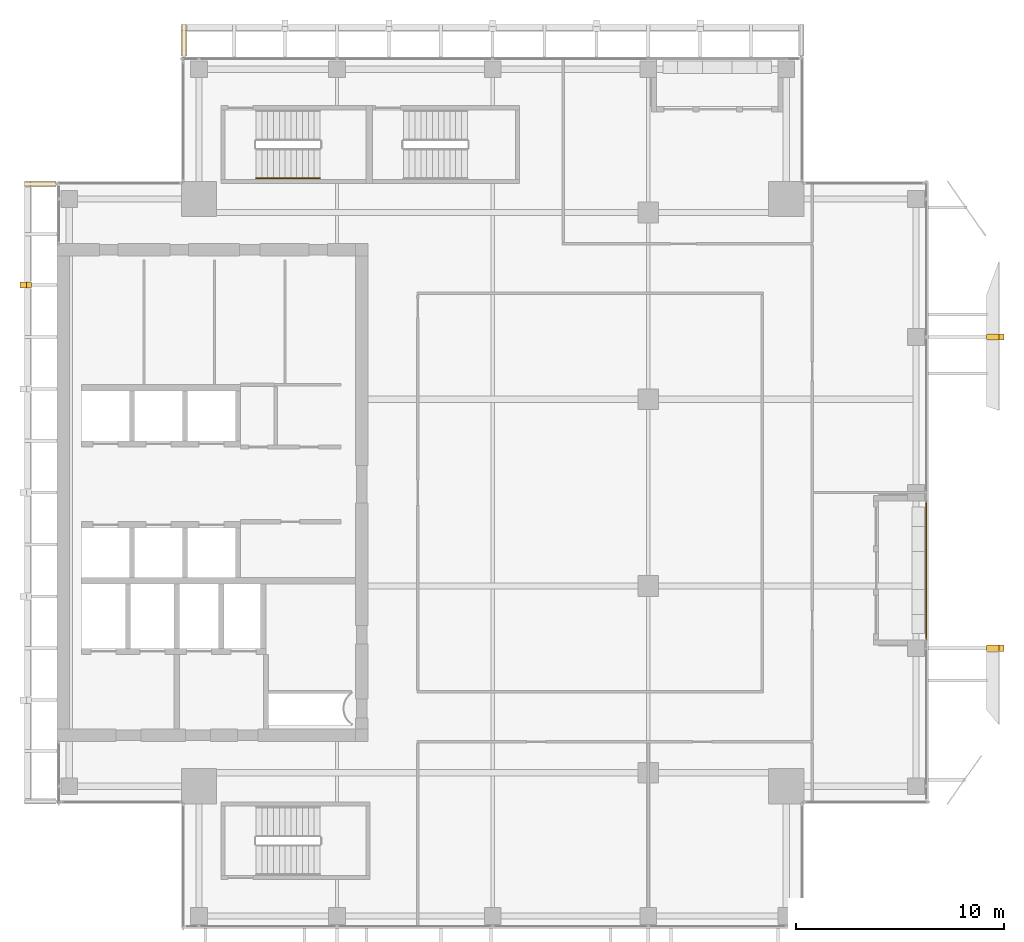
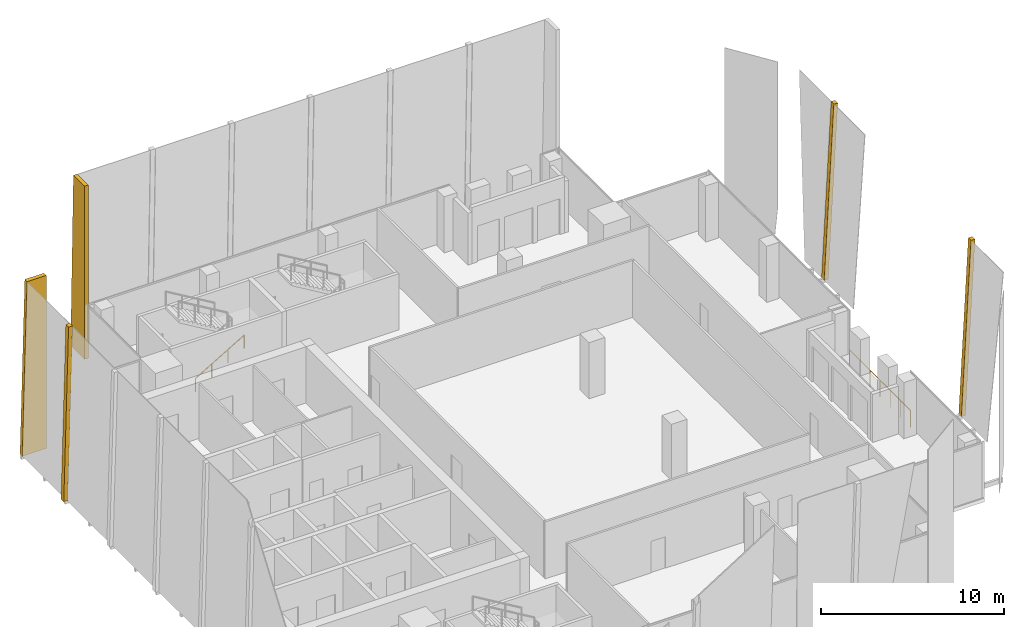
# One storey, part 30 of 32: 5 coverings, 2 railings.
"""IFC4 building model written with IfcOpenShell, lengths in metres."""

from ifc_helpers import new_model, si_unit, direction, frame, origin, origin_2d, place, context, subcontext, project, spatial, polyline, circle, outline, extrude, source, transform, mapped, material, layer, layer_set, type_object, element, save


model = new_model("IFC4")

# Units and contexts
model_context = context("Model", 3, precision=1e-05, world=origin(), true_north=direction((0.0, 1.0)))
body_context = subcontext(model_context, "Body", "Model", "MODEL_VIEW")
ifc_project = project(units=[si_unit("LENGTHUNIT", "METRE"), si_unit("AREAUNIT", "SQUARE_METRE"), si_unit("VOLUMEUNIT", "CUBIC_METRE"), si_unit("PLANEANGLEUNIT", "RADIAN"), si_unit("MASSUNIT", "GRAM", prefix="KILO")], contexts=[model_context])

# Site, building, storey
site_placement = place(None, origin())
site = spatial("IfcSite", under=ifc_project, at=site_placement, CompositionType="ELEMENT")
building_placement = place(site_placement, origin())
building = spatial("IfcBuilding", under=site, at=building_placement, Name="Khomas Fold Tower", CompositionType="ELEMENT")
storey_placement = place(building_placement, frame((0.0, 0.0, 318.199951171875)))
storey = spatial("IfcBuildingStorey", under=building, at=storey_placement, Name="L72", CompositionType="ELEMENT", Elevation=318.199951171875)

# Coverings
ifc_material_1 = material(Name="Natural stone cladding", Category="masonry")
ifc_layer = layer(ifc_material_1, 0.25)
ifc_layer_set = layer_set([ifc_layer], Name="Natural stone cladding")
covering_type = type_object("IfcCoveringType", Name="SK-Karibib marble stone mullion", PredefinedType="CLADDING", material=ifc_layer_set)
for number, where, z_axis, x_axis, name in (
    (1, (50.78662109375, 19.35009765625, 0.0), (-0.99862882819, 0.0, 0.052349436554), (0.052349436554, 0.0, 0.99862882819), "OUTER SKIN mullion L72 EM100-3"),
    (2, (51.39208984375, 34.64990234375, 11.550048828125), (-0.99862882819, 0.0, 0.052349436554), (-0.052349436554, 0.0, -0.99862882819), "OUTER SKIN mullion L72 EM103-5"),
):
    element("IfcCovering", number, at=place(storey_placement, frame(where, z_axis=z_axis, x_axis=x_axis)), inside=storey, type_object=covering_type, Name=name, PredefinedType="CLADDING", context=body_context, shape_type="SweptSolid", body=[
        extrude(outline(polyline([(0.0, 0.0), (11.565907674683308, 0.0), (11.565907674683308, 0.2998046875), (0.0, 0.2998046875), (0.0, 0.0)])), origin(), (0.0, 0.0, -1.0), 0.25),
    ])
covering_1_placement = place(storey_placement, frame((12.0, 48.050048828125, 11.550048828125), z_axis=(-1.0, 0.0, 0.0), x_axis=(0.0, 1.0, 0.0)))
element("IfcCovering", 3, at=covering_1_placement, inside=storey, type_object=covering_type, Name="OUTER SKIN return L72 N1", PredefinedType="CLADDING", context=body_context, shape_type="SweptSolid", body=[
    extrude(outline(polyline([(0.0, 0.0), (1.213134765625, 0.0), (1.515380859375, 11.550048828125), (0.0, 11.550048828125), (0.0, 0.0)])), origin(), (0.0, 0.0, -1.0), 0.25),
])
covering_2_placement = place(storey_placement, frame((4.224609375, 36.85009765625, 0.006591796875), z_axis=(-0.999657230839, 0.0, 0.026180543005), x_axis=(0.0, 1.0, 0.0)))
element("IfcCovering", 4, at=covering_2_placement, inside=storey, type_object=covering_type, Name="OUTER SKIN mullion L72 W10", PredefinedType="CLADDING", context=body_context, shape_type="SweptSolid", body=[
    extrude(outline(polyline([(0.0, 0.0), (0.2998046875, 0.0), (0.2998046875, -11.554009186164079), (0.0, -11.554009186164079), (0.0, 0.0)])), origin(), (0.0, 0.0, -1.0), 0.25),
])
covering_3_placement = place(storey_placement, frame((5.949951171875, 42.0, 0.0), z_axis=(0.0, 1.0, 0.0), x_axis=(-1.0, 0.0, 0.0)))
element("IfcCovering", 5, at=covering_3_placement, inside=storey, type_object=covering_type, Name="OUTER SKIN return L72 W2", PredefinedType="CLADDING", context=body_context, shape_type="SweptSolid", body=[
    extrude(outline(polyline([(0.0, 0.0), (1.515380859375, 0.0), (1.213134765625, 11.550048828125), (0.0, 11.550048828125), (0.0, 0.0)])), origin(), (0.0, 0.0, -1.0), 0.25),
])

# Railings
ifc_material_2 = material(Name="Powder-coated steel", Category="steel")
railing_type_1 = type_object("IfcRailingType", Name="Balcony guard", PredefinedType="GUARDRAIL", material=ifc_material_2)
shared_shape_1 = source(origin(), body_context, "Body", "SweptSolid", [
    extrude(circle(Radius=0.02490234375, at=origin_2d()), frame((0.0, 0.0, 1.125), z_axis=(0.0, 1.0, 0.0), x_axis=(-1.0, 0.0, 0.0)), (0.0, 0.0, 1.0), 6.64013671875),
    extrude(circle(Radius=0.02001953125, at=origin_2d()), origin(), (0.0, 0.0, 1.0), 1.099853515625),
    extrude(circle(Radius=0.02001953125, at=origin_2d()), frame((0.0, 1.106689453125, 0.0)), (0.0, 0.0, 1.0), 1.099853515625),
    extrude(circle(Radius=0.02001953125, at=origin_2d()), frame((0.0, 2.21337890625, 0.0)), (0.0, 0.0, 1.0), 1.099853515625),
    extrude(circle(Radius=0.02001953125, at=origin_2d()), frame((0.0, 3.320068359375, 0.0)), (0.0, 0.0, 1.0), 1.099853515625),
    extrude(circle(Radius=0.02001953125, at=origin_2d()), frame((0.0, 4.4267578125, 0.0)), (0.0, 0.0, 1.0), 1.099853515625),
    extrude(circle(Radius=0.02001953125, at=origin_2d()), frame((0.0, 5.533447265625, 0.0)), (0.0, 0.0, 1.0), 1.099853515625),
    extrude(circle(Radius=0.02001953125, at=origin_2d()), frame((0.0, 6.64013671875, 0.0)), (0.0, 0.0, 1.0), 1.099853515625),
])
railing_1_placement = place(storey_placement, frame((47.89990234375, 19.929931640625, -0.044921875)))
element("IfcRailing", 6, at=railing_1_placement, inside=storey, type_object=railing_type_1, Name="Balcony guard BAL-L72-E2", PredefinedType="GUARDRAIL", context=body_context, shape_type="MappedRepresentation", body=[
    mapped(shared_shape_1, transform((0.0, 0.0, 0.0))),
])
ifc_material_3 = material(Name="Steel handrail", Category="steel")
railing_type_2 = type_object("IfcRailingType", Name="Stair handrail", PredefinedType="HANDRAIL", material=ifc_material_3)
shared_shape_2 = source(origin(), body_context, "Body", "SweptSolid", [
    extrude(circle(Radius=0.02392578125, at=origin_2d()), frame((0.0, 0.0, 0.8759765625), z_axis=(0.859290745958, 0.0, 0.51148745235), x_axis=(0.0, 1.0, 0.0)), (0.0, 0.0, 1.0), 3.584228515625),
    extrude(circle(Radius=0.02099609375, at=origin_2d()), origin(), (0.0, 0.0, 1.0), 0.851806640625),
    extrude(circle(Radius=0.02099609375, at=origin_2d()), frame((1.026611328125, 0.0, 0.611083984375)), (0.0, 0.0, 1.0), 0.851806640625),
    extrude(circle(Radius=0.02099609375, at=origin_2d()), frame((2.05322265625, 0.0, 1.22216796875)), (0.0, 0.0, 1.0), 0.851806640625),
    extrude(circle(Radius=0.02099609375, at=origin_2d()), frame((3.079833984375, 0.0, 1.833251953125)), (0.0, 0.0, 1.0), 0.851806640625),
])
railing_2_placement = place(storey_placement, frame((15.60009765625, 42.14990234375, 0.166748046875)))
element("IfcRailing", 7, at=railing_2_placement, inside=storey, type_object=railing_type_2, Name="L72 ST1 stair handrail 1", PredefinedType="HANDRAIL", context=body_context, shape_type="MappedRepresentation", body=[
    mapped(shared_shape_2, transform((0.0, 0.0, 0.0))),
])

save(model, "model.ifc")
